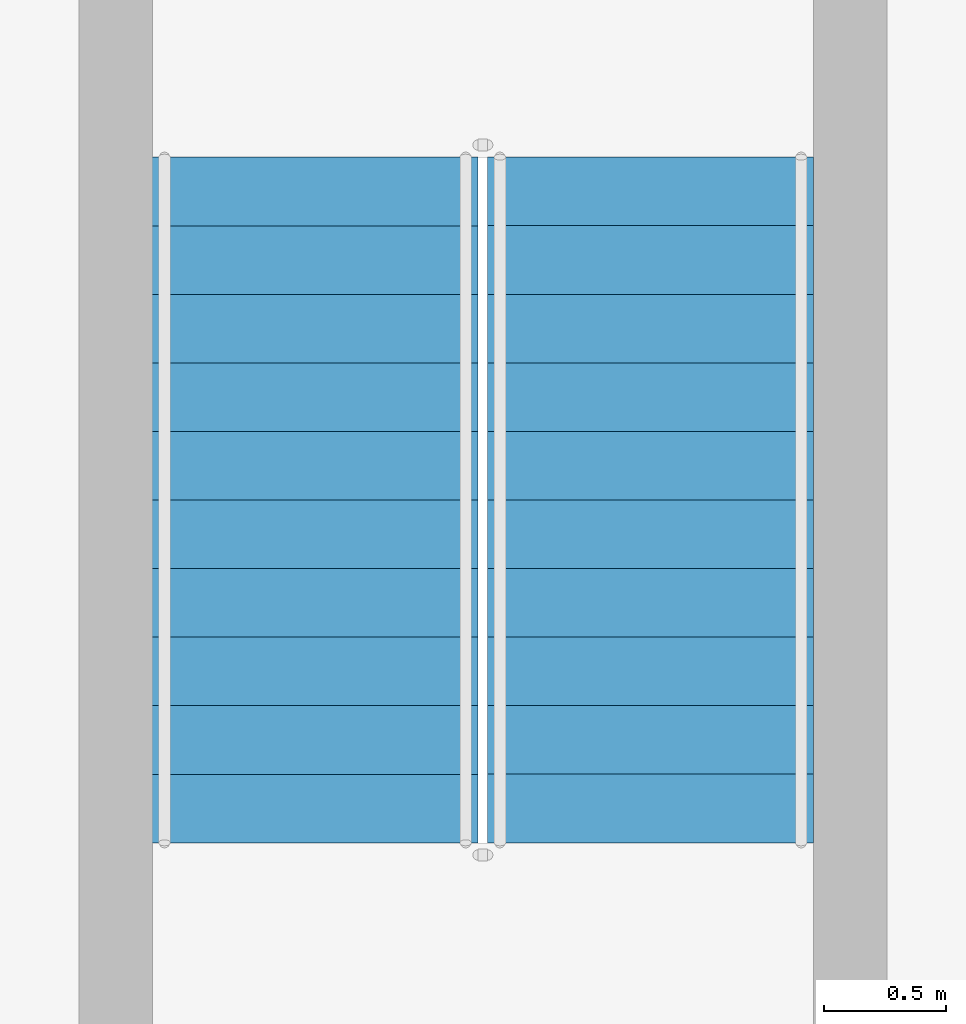
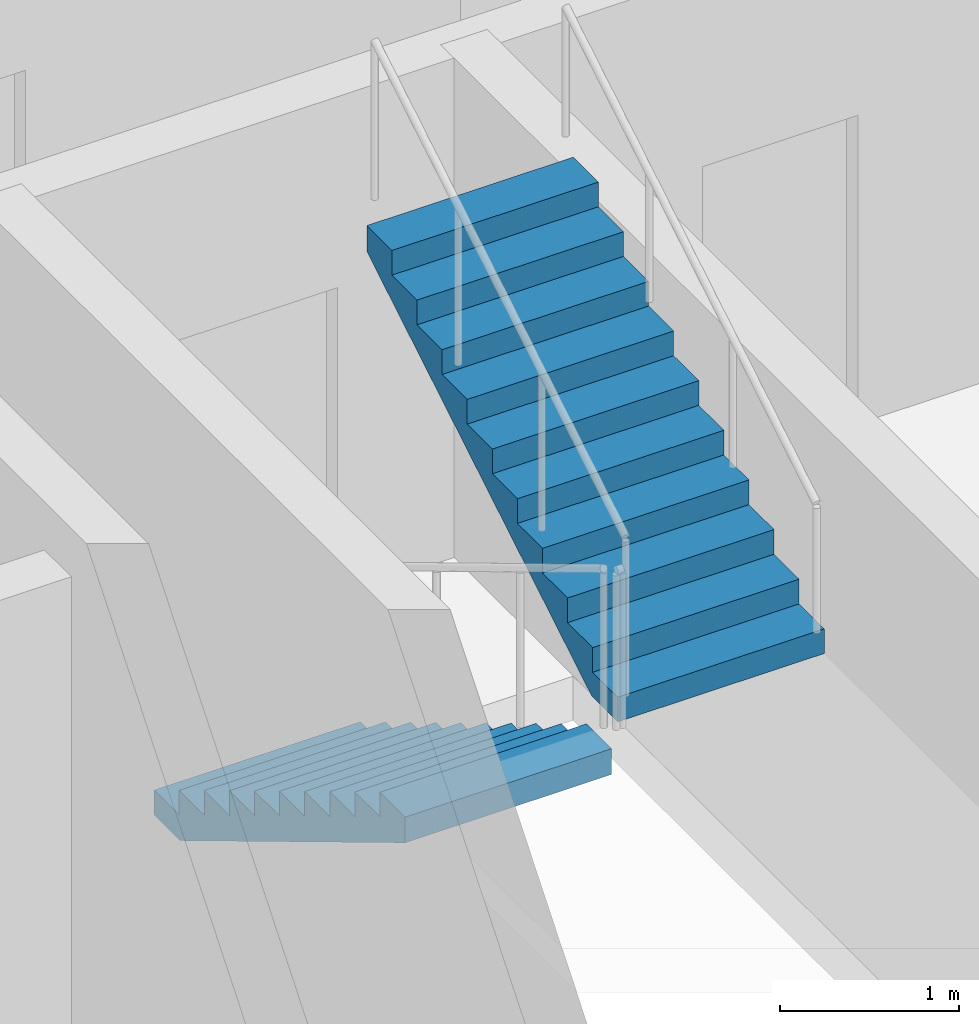
# One storey, part 26 of 36: 2 stair flights, 1 element without a shape of its own.
"""IFC4 building model written with IfcOpenShell, lengths in metres."""

from ifc_helpers import new_model, si_unit, direction, frame, origin, place, context, subcontext, project, spatial, triangles, source, transform, mapped, material, type_object, element, aggregate, save


model = new_model("IFC4")

# Units and contexts
model_context = context("Model", 3, precision=1e-05, world=origin(), true_north=direction((0.0, 1.0)))
body_context = subcontext(model_context, "Body", "Model", "MODEL_VIEW")
ifc_project = project(units=[si_unit("LENGTHUNIT", "METRE"), si_unit("AREAUNIT", "SQUARE_METRE"), si_unit("VOLUMEUNIT", "CUBIC_METRE"), si_unit("PLANEANGLEUNIT", "RADIAN"), si_unit("MASSUNIT", "GRAM", prefix="KILO")], contexts=[model_context])

# Site, building, storey
site_placement = place(None, origin())
site = spatial("IfcSite", under=ifc_project, at=site_placement, CompositionType="ELEMENT")
building_placement = place(site_placement, origin())
building = spatial("IfcBuilding", under=site, at=building_placement, Name="Ogive Portal Towers", CompositionType="ELEMENT")
storey_placement = place(building_placement, frame((0.0, 0.0, 52.0)))
storey = spatial("IfcBuildingStorey", under=building, at=storey_placement, Name="L11", CompositionType="ELEMENT", Elevation=52.0)

# Stair, stair flights
ifc_material = material(Name="Concrete C40/50", Category="concrete")
stair_type = type_object("IfcStairType", Name="INT-STAIR", PredefinedType="HALF_TURN_STAIR", material=ifc_material)
stair_placement = place(storey_placement, origin())
stair = element("IfcStair", 1, at=stair_placement, inside=storey, type_object=stair_type, Name="L11 Exit Stair ST-A4", PredefinedType="HALF_TURN_STAIR")
stair_flight_type = type_object("IfcStairFlightType", Name="INT-FLIGHT", PredefinedType="STRAIGHT", material=ifc_material)
shared_shape = source(origin(), body_context, "Body", "Tessellation", [
    triangles([(0.0, -0.6650390625, 0.0), (0.0, -0.384765625, 0.0), (0.0, -0.197021484375, 0.0), (0.0, -0.0830078125, 0.0), (0.0, -0.024658203125, 0.0), (0.0, -0.003173828125, 0.0), (0.0, 0.0, 0.0), (0.0, 0.003173828125, 0.0), (0.0, 0.024658203125, 0.0), (0.0, 0.0830078125, 0.0), (0.0, 0.197021484375, 0.0), (0.0, 0.384765625, 0.0), (0.0, 0.6650390625, 0.0), (0.0, -0.6650390625, 0.168212890625), (0.0, -0.384765625, 0.168212890625), (0.0, -0.197021484375, 0.168212890625), (0.0, -0.0830078125, 0.168212890625), (0.0, -0.024658203125, 0.168212890625), (0.0, -0.003173828125, 0.168212890625), (0.0, 0.0, 0.168212890625), (0.0, 0.003173828125, 0.168212890625), (0.0, 0.024658203125, 0.168212890625), (0.0, 0.0830078125, 0.168212890625), (0.0, 0.197021484375, 0.168212890625), (0.0, 0.384765625, 0.168212890625), (0.0, 0.6650390625, 0.168212890625), (0.280029296875, -0.6650390625, 0.168212890625), (0.280029296875, -0.384765625, 0.168212890625), (0.280029296875, -0.197021484375, 0.168212890625), (0.280029296875, -0.0830078125, 0.168212890625), (0.280029296875, -0.024658203125, 0.168212890625), (0.280029296875, -0.003173828125, 0.168212890625), (0.280029296875, 0.0, 0.168212890625), (0.280029296875, 0.003173828125, 0.168212890625), (0.280029296875, 0.024658203125, 0.168212890625), (0.280029296875, 0.0830078125, 0.168212890625), (0.280029296875, 0.197021484375, 0.168212890625), (0.280029296875, 0.384765625, 0.168212890625), (0.280029296875, 0.6650390625, 0.168212890625), (0.280029296875, -0.6650390625, 0.33642578125), (0.280029296875, -0.384765625, 0.33642578125), (0.280029296875, -0.197021484375, 0.33642578125), (0.280029296875, -0.0830078125, 0.33642578125), (0.280029296875, -0.024658203125, 0.33642578125), (0.280029296875, -0.003173828125, 0.33642578125), (0.280029296875, 0.0, 0.33642578125), (0.280029296875, 0.003173828125, 0.33642578125), (0.280029296875, 0.024658203125, 0.33642578125), (0.280029296875, 0.0830078125, 0.33642578125), (0.280029296875, 0.197021484375, 0.33642578125), (0.280029296875, 0.384765625, 0.33642578125), (0.280029296875, 0.6650390625, 0.33642578125), (0.56005859375, -0.6650390625, 0.33642578125), (0.56005859375, -0.384765625, 0.33642578125), (0.56005859375, -0.197021484375, 0.33642578125), (0.56005859375, -0.0830078125, 0.33642578125), (0.56005859375, -0.024658203125, 0.33642578125), (0.56005859375, -0.003173828125, 0.33642578125), (0.56005859375, 0.0, 0.33642578125), (0.56005859375, 0.003173828125, 0.33642578125), (0.56005859375, 0.024658203125, 0.33642578125), (0.56005859375, 0.0830078125, 0.33642578125), (0.56005859375, 0.197021484375, 0.33642578125), (0.56005859375, 0.384765625, 0.33642578125), (0.56005859375, 0.6650390625, 0.33642578125), (0.56005859375, -0.6650390625, 0.504638671875), (0.56005859375, -0.384765625, 0.504638671875), (0.56005859375, -0.197021484375, 0.504638671875), (0.56005859375, -0.0830078125, 0.504638671875), (0.56005859375, -0.024658203125, 0.504638671875), (0.56005859375, -0.003173828125, 0.504638671875), (0.56005859375, 0.0, 0.504638671875), (0.56005859375, 0.003173828125, 0.504638671875), (0.56005859375, 0.024658203125, 0.504638671875), (0.56005859375, 0.0830078125, 0.504638671875), (0.56005859375, 0.197021484375, 0.504638671875), (0.56005859375, 0.384765625, 0.504638671875), (0.56005859375, 0.6650390625, 0.504638671875), (0.840087890625, -0.6650390625, 0.504638671875), (0.840087890625, -0.384765625, 0.504638671875), (0.840087890625, -0.197021484375, 0.504638671875), (0.840087890625, -0.0830078125, 0.504638671875), (0.840087890625, -0.024658203125, 0.504638671875), (0.840087890625, -0.003173828125, 0.504638671875), (0.840087890625, 0.0, 0.504638671875), (0.840087890625, 0.003173828125, 0.504638671875), (0.840087890625, 0.024658203125, 0.504638671875), (0.840087890625, 0.0830078125, 0.504638671875), (0.840087890625, 0.197021484375, 0.504638671875), (0.840087890625, 0.384765625, 0.504638671875), (0.840087890625, 0.6650390625, 0.504638671875), (0.840087890625, -0.6650390625, 0.672607421875), (0.840087890625, -0.384765625, 0.672607421875), (0.840087890625, -0.197021484375, 0.672607421875), (0.840087890625, -0.0830078125, 0.672607421875), (0.840087890625, -0.024658203125, 0.672607421875), (0.840087890625, -0.003173828125, 0.672607421875), (0.840087890625, 0.0, 0.672607421875), (0.840087890625, 0.003173828125, 0.672607421875), (0.840087890625, 0.024658203125, 0.672607421875), (0.840087890625, 0.0830078125, 0.672607421875), (0.840087890625, 0.197021484375, 0.672607421875), (0.840087890625, 0.384765625, 0.672607421875), (0.840087890625, 0.6650390625, 0.672607421875), (1.1201171875, -0.6650390625, 0.672607421875), (1.1201171875, -0.384765625, 0.672607421875), (1.1201171875, -0.197021484375, 0.672607421875), (1.1201171875, -0.0830078125, 0.672607421875), (1.1201171875, -0.024658203125, 0.672607421875), (1.1201171875, -0.003173828125, 0.672607421875), (1.1201171875, 0.0, 0.672607421875), (1.1201171875, 0.003173828125, 0.672607421875), (1.1201171875, 0.024658203125, 0.672607421875), (1.1201171875, 0.0830078125, 0.672607421875), (1.1201171875, 0.197021484375, 0.672607421875), (1.1201171875, 0.384765625, 0.672607421875), (1.1201171875, 0.6650390625, 0.672607421875), (1.1201171875, -0.6650390625, 0.8408203125), (1.1201171875, -0.384765625, 0.8408203125), (1.1201171875, -0.197021484375, 0.8408203125), (1.1201171875, -0.0830078125, 0.8408203125), (1.1201171875, -0.024658203125, 0.8408203125), (1.1201171875, -0.003173828125, 0.8408203125), (1.1201171875, 0.0, 0.8408203125), (1.1201171875, 0.003173828125, 0.8408203125), (1.1201171875, 0.024658203125, 0.8408203125), (1.1201171875, 0.0830078125, 0.8408203125), (1.1201171875, 0.197021484375, 0.8408203125), (1.1201171875, 0.384765625, 0.8408203125), (1.1201171875, 0.6650390625, 0.8408203125), (1.39990234375, -0.6650390625, 0.8408203125), (1.39990234375, -0.384765625, 0.8408203125), (1.39990234375, -0.197021484375, 0.8408203125), (1.39990234375, -0.0830078125, 0.8408203125), (1.39990234375, -0.024658203125, 0.8408203125), (1.39990234375, -0.003173828125, 0.8408203125), (1.39990234375, 0.0, 0.8408203125), (1.39990234375, 0.003173828125, 0.8408203125), (1.39990234375, 0.024658203125, 0.8408203125), (1.39990234375, 0.0830078125, 0.8408203125), (1.39990234375, 0.197021484375, 0.8408203125), (1.39990234375, 0.384765625, 0.8408203125), (1.39990234375, 0.6650390625, 0.8408203125), (1.39990234375, -0.6650390625, 1.009033203125), (1.39990234375, -0.384765625, 1.009033203125), (1.39990234375, -0.197021484375, 1.009033203125), (1.39990234375, -0.0830078125, 1.009033203125), (1.39990234375, -0.024658203125, 1.009033203125), (1.39990234375, -0.003173828125, 1.009033203125), (1.39990234375, 0.0, 1.009033203125), (1.39990234375, 0.003173828125, 1.009033203125), (1.39990234375, 0.024658203125, 1.009033203125), (1.39990234375, 0.0830078125, 1.009033203125), (1.39990234375, 0.197021484375, 1.009033203125), (1.39990234375, 0.384765625, 1.009033203125), (1.39990234375, 0.6650390625, 1.009033203125), (1.679931640625, -0.6650390625, 1.009033203125), (1.679931640625, -0.384765625, 1.009033203125), (1.679931640625, -0.197021484375, 1.009033203125), (1.679931640625, -0.0830078125, 1.009033203125), (1.679931640625, -0.024658203125, 1.009033203125), (1.679931640625, -0.003173828125, 1.009033203125), (1.679931640625, 0.0, 1.009033203125), (1.679931640625, 0.003173828125, 1.009033203125), (1.679931640625, 0.024658203125, 1.009033203125), (1.679931640625, 0.0830078125, 1.009033203125), (1.679931640625, 0.197021484375, 1.009033203125), (1.679931640625, 0.384765625, 1.009033203125), (1.679931640625, 0.6650390625, 1.009033203125), (1.679931640625, -0.6650390625, 1.17724609375), (1.679931640625, -0.384765625, 1.17724609375), (1.679931640625, -0.197021484375, 1.17724609375), (1.679931640625, -0.0830078125, 1.17724609375), (1.679931640625, -0.024658203125, 1.17724609375), (1.679931640625, -0.003173828125, 1.17724609375), (1.679931640625, 0.0, 1.17724609375), (1.679931640625, 0.003173828125, 1.17724609375), (1.679931640625, 0.024658203125, 1.17724609375), (1.679931640625, 0.0830078125, 1.17724609375), (1.679931640625, 0.197021484375, 1.17724609375), (1.679931640625, 0.384765625, 1.17724609375), (1.679931640625, 0.6650390625, 1.17724609375), (1.9599609375, -0.6650390625, 1.17724609375), (1.9599609375, -0.384765625, 1.17724609375), (1.9599609375, -0.197021484375, 1.17724609375), (1.9599609375, -0.0830078125, 1.17724609375), (1.9599609375, -0.024658203125, 1.17724609375), (1.9599609375, -0.003173828125, 1.17724609375), (1.9599609375, 0.0, 1.17724609375), (1.9599609375, 0.003173828125, 1.17724609375), (1.9599609375, 0.024658203125, 1.17724609375), (1.9599609375, 0.0830078125, 1.17724609375), (1.9599609375, 0.197021484375, 1.17724609375), (1.9599609375, 0.384765625, 1.17724609375), (1.9599609375, 0.6650390625, 1.17724609375), (1.9599609375, -0.6650390625, 1.345458984375), (1.9599609375, -0.384765625, 1.345458984375), (1.9599609375, -0.197021484375, 1.345458984375), (1.9599609375, -0.0830078125, 1.345458984375), (1.9599609375, -0.024658203125, 1.345458984375), (1.9599609375, -0.003173828125, 1.345458984375), (1.9599609375, 0.0, 1.345458984375), (1.9599609375, 0.003173828125, 1.345458984375), (1.9599609375, 0.024658203125, 1.345458984375), (1.9599609375, 0.0830078125, 1.345458984375), (1.9599609375, 0.197021484375, 1.345458984375), (1.9599609375, 0.384765625, 1.345458984375), (1.9599609375, 0.6650390625, 1.345458984375), (2.239990234375, -0.6650390625, 1.345458984375), (2.239990234375, -0.384765625, 1.345458984375), (2.239990234375, -0.197021484375, 1.345458984375), (2.239990234375, -0.0830078125, 1.345458984375), (2.239990234375, -0.024658203125, 1.345458984375), (2.239990234375, -0.003173828125, 1.345458984375), (2.239990234375, 0.0, 1.345458984375), (2.239990234375, 0.003173828125, 1.345458984375), (2.239990234375, 0.024658203125, 1.345458984375), (2.239990234375, 0.0830078125, 1.345458984375), (2.239990234375, 0.197021484375, 1.345458984375), (2.239990234375, 0.384765625, 1.345458984375), (2.239990234375, 0.6650390625, 1.345458984375), (2.239990234375, -0.6650390625, 1.513671875), (2.239990234375, -0.384765625, 1.513671875), (2.239990234375, -0.197021484375, 1.513671875), (2.239990234375, -0.0830078125, 1.513671875), (2.239990234375, -0.024658203125, 1.513671875), (2.239990234375, -0.003173828125, 1.513671875), (2.239990234375, 0.0, 1.513671875), (2.239990234375, 0.003173828125, 1.513671875), (2.239990234375, 0.024658203125, 1.513671875), (2.239990234375, 0.0830078125, 1.513671875), (2.239990234375, 0.197021484375, 1.513671875), (2.239990234375, 0.384765625, 1.513671875), (2.239990234375, 0.6650390625, 1.513671875), (2.52001953125, -0.6650390625, 1.513671875), (2.52001953125, -0.384765625, 1.513671875), (2.52001953125, -0.197021484375, 1.513671875), (2.52001953125, -0.0830078125, 1.513671875), (2.52001953125, -0.024658203125, 1.513671875), (2.52001953125, -0.003173828125, 1.513671875), (2.52001953125, 0.0, 1.513671875), (2.52001953125, 0.003173828125, 1.513671875), (2.52001953125, 0.024658203125, 1.513671875), (2.52001953125, 0.0830078125, 1.513671875), (2.52001953125, 0.197021484375, 1.513671875), (2.52001953125, 0.384765625, 1.513671875), (2.52001953125, 0.6650390625, 1.513671875), (2.52001953125, -0.6650390625, 1.681884765625), (2.52001953125, -0.384765625, 1.681884765625), (2.52001953125, -0.197021484375, 1.681884765625), (2.52001953125, -0.0830078125, 1.681884765625), (2.52001953125, -0.024658203125, 1.681884765625), (2.52001953125, -0.003173828125, 1.681884765625), (2.52001953125, 0.0, 1.681884765625), (2.52001953125, 0.003173828125, 1.681884765625), (2.52001953125, 0.024658203125, 1.681884765625), (2.52001953125, 0.0830078125, 1.681884765625), (2.52001953125, 0.197021484375, 1.681884765625), (2.52001953125, 0.384765625, 1.681884765625), (2.52001953125, 0.6650390625, 1.681884765625), (2.800048828125, -0.6650390625, 1.681884765625), (2.800048828125, -0.384765625, 1.681884765625), (2.800048828125, -0.197021484375, 1.681884765625), (2.800048828125, -0.0830078125, 1.681884765625), (2.800048828125, -0.024658203125, 1.681884765625), (2.800048828125, -0.003173828125, 1.681884765625), (2.800048828125, 0.0, 1.681884765625), (2.800048828125, 0.003173828125, 1.681884765625), (2.800048828125, 0.024658203125, 1.681884765625), (2.800048828125, 0.0830078125, 1.681884765625), (2.800048828125, 0.197021484375, 1.681884765625), (2.800048828125, 0.384765625, 1.681884765625), (2.800048828125, 0.6650390625, 1.681884765625), (2.800048828125, -0.6650390625, 1.5068359375), (2.800048828125, -0.384765625, 1.5068359375), (2.800048828125, -0.197021484375, 1.5068359375), (2.800048828125, -0.0830078125, 1.5068359375), (2.800048828125, -0.024658203125, 1.5068359375), (2.800048828125, -0.003173828125, 1.5068359375), (2.800048828125, 0.0, 1.5068359375), (2.800048828125, 0.003173828125, 1.5068359375), (2.800048828125, 0.024658203125, 1.5068359375), (2.800048828125, 0.0830078125, 1.5068359375), (2.800048828125, 0.197021484375, 1.5068359375), (2.800048828125, 0.384765625, 1.5068359375), (2.800048828125, 0.6650390625, 1.5068359375), (0.291015625, -0.6650390625, 0.0), (0.291015625, -0.384765625, 0.0), (0.291015625, -0.197021484375, 0.0), (0.291015625, -0.0830078125, 0.0), (0.291015625, -0.024658203125, 0.0), (0.291015625, -0.003173828125, 0.0), (0.291015625, 0.0, 0.0), (0.291015625, 0.003173828125, 0.0), (0.291015625, 0.024658203125, 0.0), (0.291015625, 0.0830078125, 0.0), (0.291015625, 0.197021484375, 0.0), (0.291015625, 0.384765625, 0.0), (0.291015625, 0.6650390625, 0.0)], [[1, 14, 15], [1, 15, 2], [2, 15, 16], [2, 16, 3], [3, 16, 17], [3, 17, 4], [4, 17, 18], [4, 18, 5], [5, 18, 19], [5, 19, 6], [6, 19, 20], [6, 20, 7], [7, 20, 21], [7, 21, 8], [8, 21, 22], [8, 22, 9], [9, 22, 23], [9, 23, 10], [10, 23, 24], [10, 24, 11], [11, 24, 25], [11, 25, 12], [12, 25, 26], [12, 26, 13], [14, 27, 28], [14, 28, 15], [15, 28, 29], [15, 29, 16], [16, 29, 30], [16, 30, 17], [17, 30, 31], [17, 31, 18], [18, 31, 32], [18, 32, 19], [19, 32, 33], [19, 33, 20], [20, 33, 34], [20, 34, 21], [21, 34, 35], [21, 35, 22], [22, 35, 36], [22, 36, 23], [23, 36, 37], [23, 37, 24], [24, 37, 38], [24, 38, 25], [25, 38, 39], [25, 39, 26], [27, 40, 41], [27, 41, 28], [28, 41, 42], [28, 42, 29], [29, 42, 43], [29, 43, 30], [30, 43, 44], [30, 44, 31], [31, 44, 45], [31, 45, 32], [32, 45, 46], [32, 46, 33], [33, 46, 47], [33, 47, 34], [34, 47, 48], [34, 48, 35], [35, 48, 49], [35, 49, 36], [36, 49, 50], [36, 50, 37], [37, 50, 51], [37, 51, 38], [38, 51, 52], [38, 52, 39], [40, 53, 54], [40, 54, 41], [41, 54, 55], [41, 55, 42], [42, 55, 56], [42, 56, 43], [43, 56, 57], [43, 57, 44], [44, 57, 58], [44, 58, 45], [45, 58, 59], [45, 59, 46], [46, 59, 60], [46, 60, 47], [47, 60, 61], [47, 61, 48], [48, 61, 62], [48, 62, 49], [49, 62, 63], [49, 63, 50], [50, 63, 64], [50, 64, 51], [51, 64, 65], [51, 65, 52], [53, 66, 67], [53, 67, 54], [54, 67, 68], [54, 68, 55], [55, 68, 69], [55, 69, 56], [56, 69, 70], [56, 70, 57], [57, 70, 71], [57, 71, 58], [58, 71, 72], [58, 72, 59], [59, 72, 73], [59, 73, 60], [60, 73, 74], [60, 74, 61], [61, 74, 75], [61, 75, 62], [62, 75, 76], [62, 76, 63], [63, 76, 77], [63, 77, 64], [64, 77, 78], [64, 78, 65], [66, 79, 80], [66, 80, 67], [67, 80, 81], [67, 81, 68], [68, 81, 82], [68, 82, 69], [69, 82, 83], [69, 83, 70], [70, 83, 84], [70, 84, 71], [71, 84, 85], [71, 85, 72], [72, 85, 86], [72, 86, 73], [73, 86, 87], [73, 87, 74], [74, 87, 88], [74, 88, 75], [75, 88, 89], [75, 89, 76], [76, 89, 90], [76, 90, 77], [77, 90, 91], [77, 91, 78], [79, 92, 93], [79, 93, 80], [80, 93, 94], [80, 94, 81], [81, 94, 95], [81, 95, 82], [82, 95, 96], [82, 96, 83], [83, 96, 97], [83, 97, 84], [84, 97, 98], [84, 98, 85], [85, 98, 99], [85, 99, 86], [86, 99, 100], [86, 100, 87], [87, 100, 101], [87, 101, 88], [88, 101, 102], [88, 102, 89], [89, 102, 103], [89, 103, 90], [90, 103, 104], [90, 104, 91], [92, 105, 106], [92, 106, 93], [93, 106, 107], [93, 107, 94], [94, 107, 108], [94, 108, 95], [95, 108, 109], [95, 109, 96], [96, 109, 110], [96, 110, 97], [97, 110, 111], [97, 111, 98], [98, 111, 112], [98, 112, 99], [99, 112, 113], [99, 113, 100], [100, 113, 114], [100, 114, 101], [101, 114, 115], [101, 115, 102], [102, 115, 116], [102, 116, 103], [103, 116, 117], [103, 117, 104], [105, 118, 119], [105, 119, 106], [106, 119, 120], [106, 120, 107], [107, 120, 121], [107, 121, 108], [108, 121, 122], [108, 122, 109], [109, 122, 123], [109, 123, 110], [110, 123, 124], [110, 124, 111], [111, 124, 125], [111, 125, 112], [112, 125, 126], [112, 126, 113], [113, 126, 127], [113, 127, 114], [114, 127, 128], [114, 128, 115], [115, 128, 129], [115, 129, 116], [116, 129, 130], [116, 130, 117], [118, 131, 132], [118, 132, 119], [119, 132, 133], [119, 133, 120], [120, 133, 134], [120, 134, 121], [121, 134, 135], [121, 135, 122], [122, 135, 136], [122, 136, 123], [123, 136, 137], [123, 137, 124], [124, 137, 138], [124, 138, 125], [125, 138, 139], [125, 139, 126], [126, 139, 140], [126, 140, 127], [127, 140, 141], [127, 141, 128], [128, 141, 142], [128, 142, 129], [129, 142, 143], [129, 143, 130], [131, 144, 145], [131, 145, 132], [132, 145, 146], [132, 146, 133], [133, 146, 147], [133, 147, 134], [134, 147, 148], [134, 148, 135], [135, 148, 149], [135, 149, 136], [136, 149, 150], [136, 150, 137], [137, 150, 151], [137, 151, 138], [138, 151, 152], [138, 152, 139], [139, 152, 153], [139, 153, 140], [140, 153, 154], [140, 154, 141], [141, 154, 155], [141, 155, 142], [142, 155, 156], [142, 156, 143], [144, 157, 158], [144, 158, 145], [145, 158, 159], [145, 159, 146], [146, 159, 160], [146, 160, 147], [147, 160, 161], [147, 161, 148], [148, 161, 162], [148, 162, 149], [149, 162, 163], [149, 163, 150], [150, 163, 164], [150, 164, 151], [151, 164, 165], [151, 165, 152], [152, 165, 166], [152, 166, 153], [153, 166, 167], [153, 167, 154], [154, 167, 168], [154, 168, 155], [155, 168, 169], [155, 169, 156], [157, 170, 171], [157, 171, 158], [158, 171, 172], [158, 172, 159], [159, 172, 173], [159, 173, 160], [160, 173, 174], [160, 174, 161], [161, 174, 175], [161, 175, 162], [162, 175, 176], [162, 176, 163], [163, 176, 177], [163, 177, 164], [164, 177, 178], [164, 178, 165], [165, 178, 179], [165, 179, 166], [166, 179, 180], [166, 180, 167], [167, 180, 181], [167, 181, 168], [168, 181, 182], [168, 182, 169], [170, 183, 184], [170, 184, 171], [171, 184, 185], [171, 185, 172], [172, 185, 186], [172, 186, 173], [173, 186, 187], [173, 187, 174], [174, 187, 188], [174, 188, 175], [175, 188, 189], [175, 189, 176], [176, 189, 190], [176, 190, 177], [177, 190, 191], [177, 191, 178], [178, 191, 192], [178, 192, 179], [179, 192, 193], [179, 193, 180], [180, 193, 194], [180, 194, 181], [181, 194, 195], [181, 195, 182], [183, 196, 197], [183, 197, 184], [184, 197, 198], [184, 198, 185], [185, 198, 199], [185, 199, 186], [186, 199, 200], [186, 200, 187], [187, 200, 201], [187, 201, 188], [188, 201, 202], [188, 202, 189], [189, 202, 203], [189, 203, 190], [190, 203, 204], [190, 204, 191], [191, 204, 205], [191, 205, 192], [192, 205, 206], [192, 206, 193], [193, 206, 207], [193, 207, 194], [194, 207, 208], [194, 208, 195], [196, 209, 210], [196, 210, 197], [197, 210, 211], [197, 211, 198], [198, 211, 212], [198, 212, 199], [199, 212, 213], [199, 213, 200], [200, 213, 214], [200, 214, 201], [201, 214, 215], [201, 215, 202], [202, 215, 216], [202, 216, 203], [203, 216, 217], [203, 217, 204], [204, 217, 218], [204, 218, 205], [205, 218, 219], [205, 219, 206], [206, 219, 220], [206, 220, 207], [207, 220, 221], [207, 221, 208], [209, 222, 223], [209, 223, 210], [210, 223, 224], [210, 224, 211], [211, 224, 225], [211, 225, 212], [212, 225, 226], [212, 226, 213], [213, 226, 227], [213, 227, 214], [214, 227, 228], [214, 228, 215], [215, 228, 229], [215, 229, 216], [216, 229, 230], [216, 230, 217], [217, 230, 231], [217, 231, 218], [218, 231, 232], [218, 232, 219], [219, 232, 233], [219, 233, 220], [220, 233, 234], [220, 234, 221], [222, 235, 236], [222, 236, 223], [223, 236, 237], [223, 237, 224], [224, 237, 238], [224, 238, 225], [225, 238, 239], [225, 239, 226], [226, 239, 240], [226, 240, 227], [227, 240, 241], [227, 241, 228], [228, 241, 242], [228, 242, 229], [229, 242, 243], [229, 243, 230], [230, 243, 244], [230, 244, 231], [231, 244, 245], [231, 245, 232], [232, 245, 246], [232, 246, 233], [233, 246, 247], [233, 247, 234], [235, 248, 249], [235, 249, 236], [236, 249, 250], [236, 250, 237], [237, 250, 251], [237, 251, 238], [238, 251, 252], [238, 252, 239], [239, 252, 253], [239, 253, 240], [240, 253, 254], [240, 254, 241], [241, 254, 255], [241, 255, 242], [242, 255, 256], [242, 256, 243], [243, 256, 257], [243, 257, 244], [244, 257, 258], [244, 258, 245], [245, 258, 259], [245, 259, 246], [246, 259, 260], [246, 260, 247], [248, 261, 262], [248, 262, 249], [249, 262, 263], [249, 263, 250], [250, 263, 264], [250, 264, 251], [251, 264, 265], [251, 265, 252], [252, 265, 266], [252, 266, 253], [253, 266, 267], [253, 267, 254], [254, 267, 268], [254, 268, 255], [255, 268, 269], [255, 269, 256], [256, 269, 270], [256, 270, 257], [257, 270, 271], [257, 271, 258], [258, 271, 272], [258, 272, 259], [259, 272, 273], [259, 273, 260], [261, 274, 275], [261, 275, 262], [262, 275, 276], [262, 276, 263], [263, 276, 277], [263, 277, 264], [264, 277, 278], [264, 278, 265], [265, 278, 279], [265, 279, 266], [266, 279, 280], [266, 280, 267], [267, 280, 281], [267, 281, 268], [268, 281, 282], [268, 282, 269], [269, 282, 283], [269, 283, 270], [270, 283, 284], [270, 284, 271], [271, 284, 285], [271, 285, 272], [272, 285, 286], [272, 286, 273], [274, 287, 288], [274, 288, 275], [275, 288, 289], [275, 289, 276], [276, 289, 290], [276, 290, 277], [277, 290, 291], [277, 291, 278], [278, 291, 292], [278, 292, 279], [279, 292, 293], [279, 293, 280], [280, 293, 294], [280, 294, 281], [281, 294, 295], [281, 295, 282], [282, 295, 296], [282, 296, 283], [283, 296, 297], [283, 297, 284], [284, 297, 298], [284, 298, 285], [285, 298, 299], [285, 299, 286], [287, 1, 2], [287, 2, 288], [288, 2, 3], [288, 3, 289], [289, 3, 4], [289, 4, 290], [290, 4, 5], [290, 5, 291], [291, 5, 6], [291, 6, 292], [292, 6, 7], [292, 7, 293], [293, 7, 8], [293, 8, 294], [294, 8, 9], [294, 9, 295], [295, 9, 10], [295, 10, 296], [296, 10, 11], [296, 11, 297], [297, 11, 12], [297, 12, 298], [298, 12, 13], [298, 13, 299], [1, 287, 274], [13, 286, 299], [274, 261, 248], [286, 260, 273], [274, 248, 235], [286, 247, 260], [274, 235, 222], [286, 234, 247], [274, 222, 209], [286, 221, 234], [209, 196, 183], [221, 195, 208], [274, 209, 183], [286, 195, 221], [183, 170, 157], [195, 169, 182], [274, 183, 157], [286, 169, 195], [157, 144, 131], [169, 143, 156], [274, 157, 131], [286, 143, 169], [131, 118, 105], [143, 117, 130], [274, 131, 105], [286, 117, 143], [1, 274, 105], [13, 117, 286], [105, 92, 79], [117, 91, 104], [79, 66, 53], [91, 65, 78], [105, 79, 53], [117, 65, 91], [53, 40, 27], [65, 39, 52], [105, 53, 27], [117, 39, 65], [1, 105, 27], [13, 39, 117], [27, 14, 1], [39, 13, 26]], closed=True),
])
stair_flight_1_placement = place(storey_placement, frame((87.6650390625, 29.169921875, 0.0), z_axis=(0.0, 0.0, 1.0), x_axis=(0.0, -1.0, 0.0)))
stair_flight_1 = element("IfcStairFlight", 2, at=stair_flight_1_placement, type_object=stair_flight_type, Name="ST-A4 flight 1", NumberOfRisers=11, NumberOfTreads=10, PredefinedType="STRAIGHT", RiserHeight=0.168181818, TreadLength=0.28, context=body_context, shape_type="MappedRepresentation", body=[
    mapped(shared_shape, transform((0.0, 0.0, 0.0), scale=1.0)),
])
stair_flight_2_placement = place(storey_placement, frame((89.034912109375, 26.3701171875, 1.85009765625), z_axis=(0.0, 0.0, 1.0), x_axis=(0.0, 1.0, 0.0)))
stair_flight_2 = element("IfcStairFlight", 3, at=stair_flight_2_placement, type_object=stair_flight_type, Name="ST-A4 flight 2", NumberOfRisers=11, NumberOfTreads=10, PredefinedType="STRAIGHT", RiserHeight=0.168181818, TreadLength=0.28, context=body_context, shape_type="MappedRepresentation", body=[
    mapped(shared_shape, transform((0.0, 0.0, 0.0), scale=1.0)),
])
aggregate(stair, [stair_flight_1, stair_flight_2])

save(model, "model.ifc")
